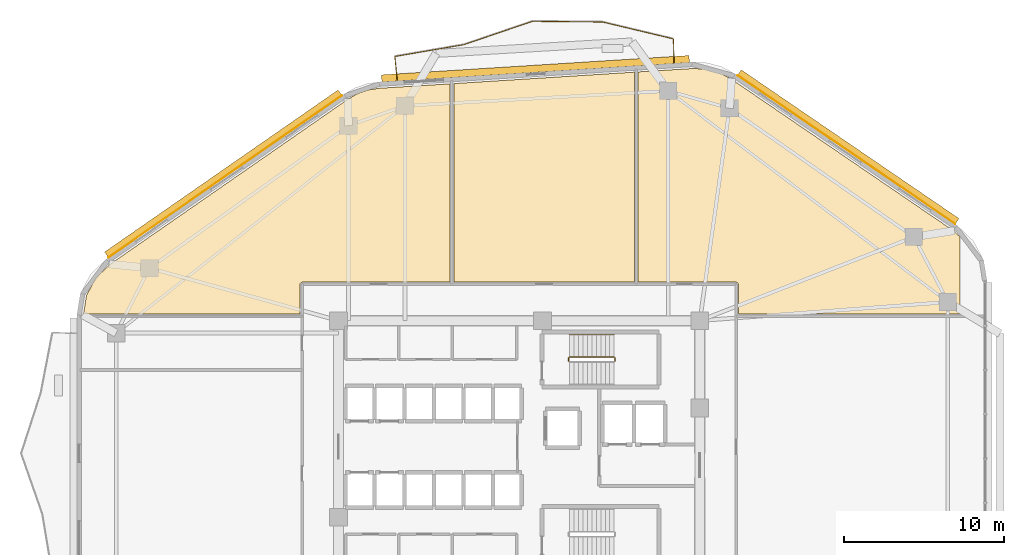
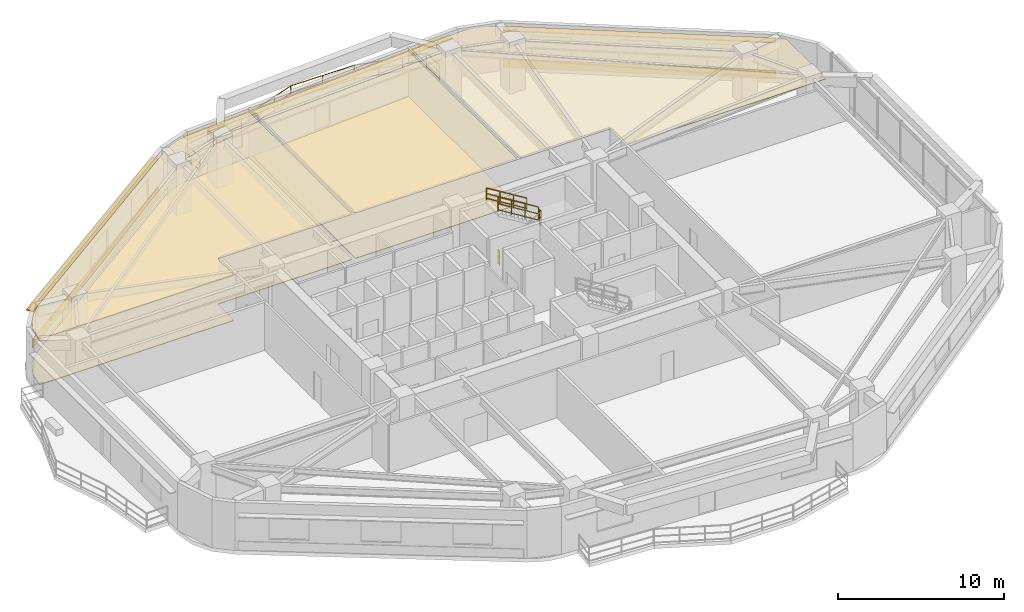
# One storey, part 14 of 14: 10 railings, 7 coverings, 3 shading devices.
"""IFC4 building model written with IfcOpenShell, lengths in metres."""

from ifc_helpers import new_model, si_unit, direction, frame, origin, origin_2d, place, context, subcontext, project, spatial, polyline, rectangle, outline, extrude, material, layer, layer_set, type_object, element, save


model = new_model("IFC4")

# Units and contexts
model_context = context("Model", 3, precision=1e-05, world=origin(), true_north=direction((0.0, 1.0)))
body_context = subcontext(model_context, "Body", "Model", "MODEL_VIEW")
ifc_project = project(units=[si_unit("LENGTHUNIT", "METRE"), si_unit("AREAUNIT", "SQUARE_METRE"), si_unit("VOLUMEUNIT", "CUBIC_METRE"), si_unit("PLANEANGLEUNIT", "RADIAN"), si_unit("MASSUNIT", "GRAM", prefix="KILO")], contexts=[model_context])

# Site, building, storey
site_placement = place(None, origin())
site = spatial("IfcSite", under=ifc_project, at=site_placement, CompositionType="ELEMENT")
building_placement = place(site_placement, origin())
building = spatial("IfcBuilding", under=site, at=building_placement, Name="Zulverin Broadcast Headquarters", CompositionType="ELEMENT")
storey_placement = place(building_placement, frame((0.0, 0.0, 85.800048828125)))
storey = spatial("IfcBuildingStorey", under=building, at=storey_placement, Name="L21", CompositionType="ELEMENT", Elevation=85.800048828125)

# Coverings
ifc_material_1 = material(Name="Perforated pale-metal acoustic baffle ceiling", Category="aluminium")
ifc_layer_1 = layer(ifc_material_1, 0.0400390625, Name="Perforated pale-metal acoustic baffle ceiling", Category="aluminium")
ifc_layer_set_1 = layer_set([ifc_layer_1], Name="Perforated pale-metal acoustic baffle ceiling")
covering_type_1 = type_object("IfcCoveringType", Name="COV-CEIL-ACOU", PredefinedType="CEILING", material=ifc_layer_set_1)
covering_1_placement = place(storey_placement, frame((0.0, 0.0, 3.344970703125)))
element("IfcCovering", 1, at=covering_1_placement, inside=storey, type_object=covering_type_1, Name="L21 Acoustic Baffle Ceiling 01", PredefinedType="CEILING", context=body_context, shape_type="SweptSolid", body=[
    extrude(outline(polyline([(11.4599609375, 36.583984375), (10.56005859375, 35.719970703125), (10.0, 34.639892578125), (9.81591796875, 33.5), (23.33203125, 33.5), (23.33203125, 35.35205078125), (23.33203125, 35.364013671875), (23.3359375, 35.3759765625), (23.3359375, 35.387939453125), (23.340087890625, 35.39599609375), (23.347900390625, 35.407958984375), (23.35205078125, 35.419921875), (23.360107421875, 35.427978515625), (23.367919921875, 35.43603515625), (23.3759765625, 35.444091796875), (23.384033203125, 35.451904296875), (23.39599609375, 35.4560546875), (23.407958984375, 35.464111328125), (23.416015625, 35.468017578125), (23.427978515625, 35.468017578125), (23.43994140625, 35.471923828125), (23.451904296875, 35.471923828125), (32.679931640625, 35.471923828125), (32.679931640625, 47.85205078125), (28.27587890625, 47.575927734375), (27.575927734375, 47.468017578125), (26.927978515625, 47.243896484375), (26.31591796875, 46.89599609375), (11.4599609375, 36.583984375)])), origin(), (0.0, 0.0, 1.0), 0.0400390625),
])
covering_2_placement = place(storey_placement, frame((0.0, 0.0, 3.344970703125)))
element("IfcCovering", 2, at=covering_2_placement, inside=storey, type_object=covering_type_1, Name="L21 Acoustic Baffle Ceiling 02", PredefinedType="CEILING", context=body_context, shape_type="SweptSolid", body=[
    extrude(outline(polyline([(44.179931640625, 35.471923828125), (44.179931640625, 48.580078125), (32.919921875, 47.867919921875), (32.919921875, 35.471923828125), (44.179931640625, 35.471923828125)])), origin(), (0.0, 0.0, 1.0), 0.0400390625),
])
covering_3_placement = place(storey_placement, frame((0.0, 0.0, 3.344970703125)))
element("IfcCovering", 3, at=covering_3_placement, inside=storey, type_object=covering_type_1, Name="L21 Acoustic Baffle Ceiling 03", PredefinedType="CEILING", context=body_context, shape_type="SweptSolid", body=[
    extrude(outline(polyline([(64.5, 38.303955078125), (64.115966796875, 38.672119140625), (50.248046875, 48.139892578125), (49.491943359375, 48.548095703125), (48.68408203125, 48.76806640625), (47.823974609375, 48.80810546875), (44.419921875, 48.595947265625), (44.419921875, 35.471923828125), (50.552001953125, 35.471923828125), (50.56396484375, 35.471923828125), (50.575927734375, 35.468017578125), (50.587890625, 35.468017578125), (50.595947265625, 35.464111328125), (50.60791015625, 35.4560546875), (50.6201171875, 35.451904296875), (50.6279296875, 35.444091796875), (50.635986328125, 35.43603515625), (50.64404296875, 35.427978515625), (50.652099609375, 35.419921875), (50.656005859375, 35.407958984375), (50.6640625, 35.39599609375), (50.66796875, 35.387939453125), (50.66796875, 35.3759765625), (50.672119140625, 35.364013671875), (50.672119140625, 35.35205078125), (50.672119140625, 33.5), (64.5, 33.5), (64.5, 38.303955078125)])), origin(), (0.0, 0.0, 1.0), 0.0400390625),
])
ifc_material_2 = material(Name="Brushed pale-aluminium rainscreen cladding", Category="aluminium")
ifc_layer_2 = layer(ifc_material_2, 0.0400390625, Name="Brushed pale-aluminium rainscreen cladding", Category="aluminium")
ifc_layer_set_2 = layer_set([ifc_layer_2], Name="Brushed pale-aluminium rainscreen cladding")
covering_type_2 = type_object("IfcCoveringType", Name="COV-CLAD-PALE", PredefinedType="CLADDING", material=ifc_layer_set_2)
covering_4_placement = place(storey_placement, frame((57.418212890625, 43.742431640625, 0.054931640625), z_axis=(0.0, 0.0, 1.0), x_axis=(-0.825756855157, 0.564026254851, 0.0)))
element("IfcCovering", 4, at=covering_4_placement, inside=storey, type_object=covering_type_2, Name="L21 Brushed Pale-Aluminium Spandrel Cladding 4", PredefinedType="CLADDING", context=body_context, shape_type="SweptSolid", body=[
    extrude(rectangle(XDim=16.4482421875, YDim=0.0400390625, at=origin_2d()), origin(), (0.0, 0.0, 1.0), 0.64990234375),
])
covering_5_placement = place(storey_placement, frame((18.648193359375, 42.072021484375, 0.054931640625), z_axis=(0.0, 0.0, 1.0), x_axis=(-0.821556397865, -0.57012725345, 0.0)))
element("IfcCovering", 5, at=covering_5_placement, inside=storey, type_object=covering_type_2, Name="L21 Brushed Pale-Aluminium Spandrel Cladding 6", PredefinedType="CLADDING", context=body_context, shape_type="SweptSolid", body=[
    extrude(rectangle(XDim=17.732421875, YDim=0.0400390625, at=origin_2d()), origin(), (0.0, 0.0, 1.0), 0.64990234375),
])
ifc_material_3 = material(Name="Anti-static broadcast raised access flooring", Category="stone")
ifc_layer_3 = layer(ifc_material_3, 0.050048828125, Name="Anti-static broadcast raised access flooring", Category="stone")
ifc_layer_set_3 = layer_set([ifc_layer_3], Name="Anti-static broadcast raised access flooring")
covering_type_3 = type_object("IfcCoveringType", Name="COV-FLR-RAISED", PredefinedType="FLOORING", material=ifc_layer_set_3)
covering_6_placement = place(storey_placement, origin())
element("IfcCovering", 6, at=covering_6_placement, inside=storey, type_object=covering_type_3, Name="L21 Broadcast Raised Access Flooring 01", PredefinedType="FLOORING", context=body_context, shape_type="SweptSolid", body=[
    extrude(outline(polyline([(11.4599609375, 36.583984375), (10.56005859375, 35.719970703125), (10.0, 34.639892578125), (9.81591796875, 33.5), (23.33203125, 33.5), (23.33203125, 35.35205078125), (23.33203125, 35.364013671875), (23.3359375, 35.3759765625), (23.3359375, 35.387939453125), (23.340087890625, 35.39599609375), (23.347900390625, 35.407958984375), (23.35205078125, 35.419921875), (23.360107421875, 35.427978515625), (23.367919921875, 35.43603515625), (23.3759765625, 35.444091796875), (23.384033203125, 35.451904296875), (23.39599609375, 35.4560546875), (23.407958984375, 35.464111328125), (23.416015625, 35.468017578125), (23.427978515625, 35.468017578125), (23.43994140625, 35.471923828125), (23.451904296875, 35.471923828125), (32.679931640625, 35.471923828125), (32.679931640625, 47.85205078125), (28.27587890625, 47.575927734375), (27.575927734375, 47.468017578125), (26.927978515625, 47.243896484375), (26.31591796875, 46.89599609375), (11.4599609375, 36.583984375)])), origin(), (0.0, 0.0, 1.0), 0.050048828125),
])
covering_7_placement = place(storey_placement, origin())
element("IfcCovering", 7, at=covering_7_placement, inside=storey, type_object=covering_type_3, Name="L21 Broadcast Raised Access Flooring 02", PredefinedType="FLOORING", context=body_context, shape_type="SweptSolid", body=[
    extrude(outline(polyline([(44.179931640625, 35.471923828125), (44.179931640625, 48.580078125), (32.919921875, 47.867919921875), (32.919921875, 35.471923828125), (44.179931640625, 35.471923828125)])), origin(), (0.0, 0.0, 1.0), 0.050048828125),
])

# Railings
ifc_material_4 = material(Name="Brushed stainless steel & laminated glass balustrade", Category="steel")
railing_type_1 = type_object("IfcRailingType", Name="RL-GUARD-1150", PredefinedType="GUARDRAIL", material=ifc_material_4)
railing_1_placement = place(storey_placement, frame((46.662841796875, 49.176025390625, 0.0)))
element("IfcRailing", 8, at=railing_1_placement, inside=storey, type_object=railing_type_1, Name="L21 Vertical-Forest Balcony Guardrail BAL_N Segment 01", PredefinedType="GUARDRAIL", context=body_context, shape_type="SweptSolid", body=[
    extrude(rectangle(XDim=0.048095703125, YDim=0.048095703125, at=origin_2d()), frame((0.0, 0.0, 1.1259765625), z_axis=(-0.022479328211, 0.999747307975, 0.0), x_axis=(-0.999747307975, -0.022479328211, 0.0)), (0.0, 0.0, 1.0), 1.46630859375),
    extrude(rectangle(XDim=0.0419921875, YDim=0.0419921875, at=origin_2d()), frame((0.0, 0.0, 0.597900390625), z_axis=(-0.022479328211, 0.999747307975, 0.0), x_axis=(-0.999747307975, -0.022479328211, 0.0)), (0.0, 0.0, 1.0), 1.46630859375),
    extrude(rectangle(XDim=0.0419921875, YDim=0.0419921875, at=origin_2d()), frame((0.0, 0.0, 0.1201171875), z_axis=(-0.022479328211, 0.999747307975, 0.0), x_axis=(-0.999747307975, -0.022479328211, 0.0)), (0.0, 0.0, 1.0), 1.46630859375),
    extrude(rectangle(XDim=0.0419921875, YDim=0.0419921875, at=origin_2d()), origin(), (0.0, 0.0, 1.0), 1.101806640625),
    extrude(rectangle(XDim=0.0419921875, YDim=0.0419921875, at=origin_2d()), frame((-0.032958984375, 1.4658203125, 0.0)), (0.0, 0.0, 1.0), 1.101806640625),
])
railing_2_placement = place(storey_placement, frame((46.614990234375, 50.660400390625, 0.0)))
element("IfcRailing", 9, at=railing_2_placement, inside=storey, type_object=railing_type_1, Name="L21 Vertical-Forest Balcony Guardrail BAL_N Segment 02", PredefinedType="GUARDRAIL", context=body_context, shape_type="SweptSolid", body=[
    extrude(rectangle(XDim=0.048095703125, YDim=0.048095703125, at=origin_2d()), frame((0.0, 0.0, 1.1259765625), z_axis=(-0.972763955958, 0.231797942158, 0.0), x_axis=(-0.231797942158, -0.972763955958, 0.0)), (0.0, 0.0, 1.0), 4.52685546875),
    extrude(rectangle(XDim=0.0419921875, YDim=0.0419921875, at=origin_2d()), frame((0.0, 0.0, 0.597900390625), z_axis=(-0.972763955958, 0.231797942158, 0.0), x_axis=(-0.231797942158, -0.972763955958, 0.0)), (0.0, 0.0, 1.0), 4.52685546875),
    extrude(rectangle(XDim=0.0419921875, YDim=0.0419921875, at=origin_2d()), frame((0.0, 0.0, 0.1201171875), z_axis=(-0.972763955958, 0.231797942158, 0.0), x_axis=(-0.231797942158, -0.972763955958, 0.0)), (0.0, 0.0, 1.0), 4.52685546875),
    extrude(rectangle(XDim=0.0419921875, YDim=0.0419921875, at=origin_2d()), origin(), (0.0, 0.0, 1.0), 1.101806640625),
    extrude(rectangle(XDim=0.0419921875, YDim=0.0419921875, at=origin_2d()), frame((-1.4677734375, 0.349853515625, 0.0)), (0.0, 0.0, 1.0), 1.101806640625),
    extrude(rectangle(XDim=0.0419921875, YDim=0.0419921875, at=origin_2d()), frame((-2.935791015625, 0.699462890625, 0.0)), (0.0, 0.0, 1.0), 1.101806640625),
    extrude(rectangle(XDim=0.0419921875, YDim=0.0419921875, at=origin_2d()), frame((-4.403564453125, 1.04931640625, 0.0)), (0.0, 0.0, 1.0), 1.101806640625),
])
railing_3_placement = place(storey_placement, frame((42.181884765625, 51.713134765625, 0.0)))
element("IfcRailing", 10, at=railing_3_placement, inside=storey, type_object=railing_type_1, Name="L21 Vertical-Forest Balcony Guardrail BAL_N Segment 03", PredefinedType="GUARDRAIL", context=body_context, shape_type="SweptSolid", body=[
    extrude(rectangle(XDim=0.048095703125, YDim=0.048095703125, at=origin_2d()), frame((0.0, 0.0, 1.1259765625), z_axis=(-0.99995316477, 0.009678236697, 0.0), x_axis=(-0.009678236697, -0.99995316477, 0.0)), (0.0, 0.0, 1.0), 4.3388671875),
    extrude(rectangle(XDim=0.0419921875, YDim=0.0419921875, at=origin_2d()), frame((0.0, 0.0, 0.597900390625), z_axis=(-0.99995316477, 0.009678236697, 0.0), x_axis=(-0.009678236697, -0.99995316477, 0.0)), (0.0, 0.0, 1.0), 4.3388671875),
    extrude(rectangle(XDim=0.0419921875, YDim=0.0419921875, at=origin_2d()), frame((0.0, 0.0, 0.1201171875), z_axis=(-0.99995316477, 0.009678236697, 0.0), x_axis=(-0.009678236697, -0.99995316477, 0.0)), (0.0, 0.0, 1.0), 4.3388671875),
    extrude(rectangle(XDim=0.0419921875, YDim=0.0419921875, at=origin_2d()), origin(), (0.0, 0.0, 1.0), 1.101806640625),
    extrude(rectangle(XDim=0.0419921875, YDim=0.0419921875, at=origin_2d()), frame((-2.16943359375, 0.02099609375, 0.0)), (0.0, 0.0, 1.0), 1.101806640625),
    extrude(rectangle(XDim=0.0419921875, YDim=0.0419921875, at=origin_2d()), frame((-4.338623046875, 0.0419921875, 0.0)), (0.0, 0.0, 1.0), 1.101806640625),
])
railing_4_placement = place(storey_placement, frame((37.81396484375, 51.75048828125, 0.0)))
element("IfcRailing", 11, at=railing_4_placement, inside=storey, type_object=railing_type_1, Name="L21 Vertical-Forest Balcony Guardrail BAL_N Segment 04", PredefinedType="GUARDRAIL", context=body_context, shape_type="SweptSolid", body=[
    extrude(rectangle(XDim=0.048095703125, YDim=0.048095703125, at=origin_2d()), frame((0.0, 0.0, 1.1259765625), z_axis=(-0.946638952718, -0.322295971425, 0.0), x_axis=(0.322295971425, -0.946638952718, 0.0)), (0.0, 0.0, 1.0), 4.485107421875),
    extrude(rectangle(XDim=0.0419921875, YDim=0.0419921875, at=origin_2d()), frame((0.0, 0.0, 0.597900390625), z_axis=(-0.946638952718, -0.322295971425, 0.0), x_axis=(0.322295971425, -0.946638952718, 0.0)), (0.0, 0.0, 1.0), 4.485107421875),
    extrude(rectangle(XDim=0.0419921875, YDim=0.0419921875, at=origin_2d()), frame((0.0, 0.0, 0.1201171875), z_axis=(-0.946638952718, -0.322295971425, 0.0), x_axis=(0.322295971425, -0.946638952718, 0.0)), (0.0, 0.0, 1.0), 4.485107421875),
    extrude(rectangle(XDim=0.0419921875, YDim=0.0419921875, at=origin_2d()), origin(), (0.0, 0.0, 1.0), 1.101806640625),
    extrude(rectangle(XDim=0.0419921875, YDim=0.0419921875, at=origin_2d()), frame((-1.415283203125, -0.48193359375, 0.0)), (0.0, 0.0, 1.0), 1.101806640625),
    extrude(rectangle(XDim=0.0419921875, YDim=0.0419921875, at=origin_2d()), frame((-2.83056640625, -0.963623046875, 0.0)), (0.0, 0.0, 1.0), 1.101806640625),
    extrude(rectangle(XDim=0.0419921875, YDim=0.0419921875, at=origin_2d()), frame((-4.245849609375, -1.445556640625, 0.0)), (0.0, 0.0, 1.0), 1.101806640625),
])
railing_5_placement = place(storey_placement, frame((33.5390625, 50.297607421875, 0.0)))
element("IfcRailing", 12, at=railing_5_placement, inside=storey, type_object=railing_type_1, Name="L21 Vertical-Forest Balcony Guardrail BAL_N Segment 05", PredefinedType="GUARDRAIL", context=body_context, shape_type="SweptSolid", body=[
    extrude(rectangle(XDim=0.048095703125, YDim=0.048095703125, at=origin_2d()), frame((0.0, 0.0, 1.1259765625), z_axis=(-0.985633195808, -0.168899980228, 0.0), x_axis=(0.168899980228, -0.985633195808, 0.0)), (0.0, 0.0, 1.0), 4.352294921875),
    extrude(rectangle(XDim=0.0419921875, YDim=0.0419921875, at=origin_2d()), frame((0.0, 0.0, 0.597900390625), z_axis=(-0.985633195808, -0.168899980228, 0.0), x_axis=(0.168899980228, -0.985633195808, 0.0)), (0.0, 0.0, 1.0), 4.352294921875),
    extrude(rectangle(XDim=0.0419921875, YDim=0.0419921875, at=origin_2d()), frame((0.0, 0.0, 0.1201171875), z_axis=(-0.985633195808, -0.168899980228, 0.0), x_axis=(0.168899980228, -0.985633195808, 0.0)), (0.0, 0.0, 1.0), 4.352294921875),
    extrude(rectangle(XDim=0.0419921875, YDim=0.0419921875, at=origin_2d()), origin(), (0.0, 0.0, 1.0), 1.101806640625),
    extrude(rectangle(XDim=0.0419921875, YDim=0.0419921875, at=origin_2d()), frame((-2.14501953125, -0.36767578125, 0.0)), (0.0, 0.0, 1.0), 1.101806640625),
    extrude(rectangle(XDim=0.0419921875, YDim=0.0419921875, at=origin_2d()), frame((-4.289794921875, -0.735107421875, 0.0)), (0.0, 0.0, 1.0), 1.101806640625),
])
railing_6_placement = place(storey_placement, frame((29.236083984375, 49.545166015625, 0.0)))
element("IfcRailing", 13, at=railing_6_placement, inside=storey, type_object=railing_type_1, Name="L21 Vertical-Forest Balcony Guardrail BAL_N Segment 06", PredefinedType="GUARDRAIL", context=body_context, shape_type="SweptSolid", body=[
    extrude(rectangle(XDim=0.048095703125, YDim=0.048095703125, at=origin_2d()), frame((0.0, 0.0, 1.1259765625), z_axis=(0.103393334431, -0.994640547331, 0.0), x_axis=(0.994640547331, 0.103393334431, 0.0)), (0.0, 0.0, 1.0), 1.46630859375),
    extrude(rectangle(XDim=0.0419921875, YDim=0.0419921875, at=origin_2d()), frame((0.0, 0.0, 0.597900390625), z_axis=(0.103393334431, -0.994640547331, 0.0), x_axis=(0.994640547331, 0.103393334431, 0.0)), (0.0, 0.0, 1.0), 1.46630859375),
    extrude(rectangle(XDim=0.0419921875, YDim=0.0419921875, at=origin_2d()), frame((0.0, 0.0, 0.1201171875), z_axis=(0.103393334431, -0.994640547331, 0.0), x_axis=(0.994640547331, 0.103393334431, 0.0)), (0.0, 0.0, 1.0), 1.46630859375),
    extrude(rectangle(XDim=0.0419921875, YDim=0.0419921875, at=origin_2d()), origin(), (0.0, 0.0, 1.0), 1.101806640625),
    extrude(rectangle(XDim=0.0419921875, YDim=0.0419921875, at=origin_2d()), frame((0.151611328125, -1.45849609375, 0.0)), (0.0, 0.0, 1.0), 1.101806640625),
])
ifc_material_5 = material(Name="Painted galvanized steel tubular guardrail S355JR", Category="steel")
railing_type_2 = type_object("IfcRailingType", Name="RL-ST-GUARD", PredefinedType="GUARDRAIL", material=ifc_material_5)
railing_7_placement = place(storey_placement, frame((42.97998046875, 30.550048828125, 1.89990234375)))
element("IfcRailing", 14, at=railing_7_placement, inside=storey, type_object=railing_type_2, Name="L21 ST-1 stair guard 2", PredefinedType="GUARDRAIL", context=body_context, shape_type="SweptSolid", body=[
    extrude(rectangle(XDim=0.048095703125, YDim=0.048095703125, at=origin_2d()), frame((0.0, 0.0, 1.076171875), z_axis=(0.0, 1.0, 0.0), x_axis=(-1.0, 0.0, 0.0)), (0.0, 0.0, 1.0), 0.199951171875),
    extrude(rectangle(XDim=0.0419921875, YDim=0.0419921875, at=origin_2d()), frame((0.0, 0.0, 0.572021484375), z_axis=(0.0, 1.0, 0.0), x_axis=(-1.0, 0.0, 0.0)), (0.0, 0.0, 1.0), 0.199951171875),
    extrude(rectangle(XDim=0.0419921875, YDim=0.0419921875, at=origin_2d()), frame((0.0, 0.0, 0.1201171875), z_axis=(0.0, 1.0, 0.0), x_axis=(-1.0, 0.0, 0.0)), (0.0, 0.0, 1.0), 0.199951171875),
    extrude(rectangle(XDim=0.0419921875, YDim=0.0419921875, at=origin_2d()), origin(), (0.0, 0.0, 1.0), 1.052001953125),
    extrude(rectangle(XDim=0.0419921875, YDim=0.0419921875, at=origin_2d()), frame((0.0, 0.199951171875, 0.0)), (0.0, 0.0, 1.0), 1.052001953125),
])
railing_8_placement = place(storey_placement, frame((42.929931640625, 30.800048828125, 2.07275390625)))
element("IfcRailing", 15, at=railing_8_placement, inside=storey, type_object=railing_type_2, Name="L21 ST-1 stair guard 3", PredefinedType="GUARDRAIL", context=body_context, shape_type="SweptSolid", body=[
    extrude(rectangle(XDim=0.048095703125, YDim=0.048095703125, at=origin_2d()), frame((0.0, 0.0, 1.076171875), z_axis=(-0.851089632645, 0.0, 0.525020415988), x_axis=(0.0, -1.0, 0.0)), (0.0, 0.0, 1.0), 3.2900390625),
    extrude(rectangle(XDim=0.0419921875, YDim=0.0419921875, at=origin_2d()), frame((0.0, 0.0, 0.572021484375), z_axis=(-0.851089632645, 0.0, 0.525020415988), x_axis=(0.0, -1.0, 0.0)), (0.0, 0.0, 1.0), 3.2900390625),
    extrude(rectangle(XDim=0.0419921875, YDim=0.0419921875, at=origin_2d()), frame((0.0, 0.0, 0.1201171875), z_axis=(-0.851089632645, 0.0, 0.525020415988), x_axis=(0.0, -1.0, 0.0)), (0.0, 0.0, 1.0), 3.2900390625),
    extrude(rectangle(XDim=0.0419921875, YDim=0.0419921875, at=origin_2d()), origin(), (0.0, 0.0, 1.0), 1.052001953125),
    extrude(rectangle(XDim=0.0419921875, YDim=0.0419921875, at=origin_2d()), frame((-0.933349609375, 0.0, 0.57568359375)), (0.0, 0.0, 1.0), 1.052001953125),
    extrude(rectangle(XDim=0.0419921875, YDim=0.0419921875, at=origin_2d()), frame((-1.86669921875, 0.0, 1.151611328125)), (0.0, 0.0, 1.0), 1.052001953125),
    extrude(rectangle(XDim=0.0419921875, YDim=0.0419921875, at=origin_2d()), frame((-2.800048828125, 0.0, 1.727294921875)), (0.0, 0.0, 1.0), 1.052001953125),
])
railing_9_placement = place(storey_placement, frame((40.080078125, 30.550048828125, 0.0)))
element("IfcRailing", 16, at=railing_9_placement, inside=storey, type_object=railing_type_2, Name="L21 ST-1 stair guard 4", PredefinedType="GUARDRAIL", context=body_context, shape_type="SweptSolid", body=[
    extrude(rectangle(XDim=0.048095703125, YDim=0.048095703125, at=origin_2d()), frame((0.0, 0.0, 1.076171875), z_axis=(0.0, 1.0, 0.0), x_axis=(-1.0, 0.0, 0.0)), (0.0, 0.0, 1.0), 0.199951171875),
    extrude(rectangle(XDim=0.0419921875, YDim=0.0419921875, at=origin_2d()), frame((0.0, 0.0, 0.572021484375), z_axis=(0.0, 1.0, 0.0), x_axis=(-1.0, 0.0, 0.0)), (0.0, 0.0, 1.0), 0.199951171875),
    extrude(rectangle(XDim=0.0419921875, YDim=0.0419921875, at=origin_2d()), frame((0.0, 0.0, 0.1201171875), z_axis=(0.0, 1.0, 0.0), x_axis=(-1.0, 0.0, 0.0)), (0.0, 0.0, 1.0), 0.199951171875),
    extrude(rectangle(XDim=0.0419921875, YDim=0.0419921875, at=origin_2d()), origin(), (0.0, 0.0, 1.0), 1.052001953125),
    extrude(rectangle(XDim=0.0419921875, YDim=0.0419921875, at=origin_2d()), frame((0.0, 0.199951171875, 0.0)), (0.0, 0.0, 1.0), 1.052001953125),
])
ifc_material_6 = material(Name="Brushed stainless steel 48 mm handrail", Category="steel")
railing_type_3 = type_object("IfcRailingType", Name="RL-ST-HAND", PredefinedType="HANDRAIL", material=ifc_material_6)
railing_10_placement = place(storey_placement, frame((42.929931640625, 32.199951171875, 2.07275390625)))
element("IfcRailing", 17, at=railing_10_placement, inside=storey, type_object=railing_type_3, Name="L21 ST-1 stair handrail 2", PredefinedType="HANDRAIL", context=body_context, shape_type="SweptSolid", body=[
    extrude(rectangle(XDim=0.048095703125, YDim=0.048095703125, at=origin_2d()), frame((0.0, 0.0, 0.8759765625), z_axis=(-0.851089632645, 0.0, 0.525020415988), x_axis=(0.0, -1.0, 0.0)), (0.0, 0.0, 1.0), 3.2900390625),
    extrude(rectangle(XDim=0.0419921875, YDim=0.0419921875, at=origin_2d()), frame((0.0, 0.0, 0.468017578125), z_axis=(-0.851089632645, 0.0, 0.525020415988), x_axis=(0.0, -1.0, 0.0)), (0.0, 0.0, 1.0), 3.2900390625),
    extrude(rectangle(XDim=0.0419921875, YDim=0.0419921875, at=origin_2d()), frame((0.0, 0.0, 0.1201171875), z_axis=(-0.851089632645, 0.0, 0.525020415988), x_axis=(0.0, -1.0, 0.0)), (0.0, 0.0, 1.0), 3.2900390625),
    extrude(rectangle(XDim=0.0419921875, YDim=0.0419921875, at=origin_2d()), origin(), (0.0, 0.0, 1.0), 0.851806640625),
    extrude(rectangle(XDim=0.0419921875, YDim=0.0419921875, at=origin_2d()), frame((-0.933349609375, 0.0, 0.57568359375)), (0.0, 0.0, 1.0), 0.851806640625),
    extrude(rectangle(XDim=0.0419921875, YDim=0.0419921875, at=origin_2d()), frame((-1.86669921875, 0.0, 1.151611328125)), (0.0, 0.0, 1.0), 0.851806640625),
    extrude(rectangle(XDim=0.0419921875, YDim=0.0419921875, at=origin_2d()), frame((-2.800048828125, 0.0, 1.727294921875)), (0.0, 0.0, 1.0), 0.851806640625),
])

# Shading devices
ifc_material_7 = material(Name="Anodized pale-metal aluminium sunshade", Category="aluminium")
ifc_layer_4 = layer(ifc_material_7, 0.06005859375, Name="Anodized pale-metal aluminium sunshade", Category="aluminium")
ifc_layer_set_4 = layer_set([ifc_layer_4], Name="Anodized pale-metal aluminium sunshade")
shading_device_type = type_object("IfcShadingDeviceType", Name="SS-01_PALE_METAL_ALUMINIUM_SUNSHADE", PredefinedType="USERDEFINED", material=ifc_layer_set_4)
shading_device_1_placement = place(storey_placement, frame((57.525390625, 43.8994140625, 2.7099609375), z_axis=(0.0, 0.0, 1.0), x_axis=(-0.825756855157, 0.564026254851, 0.0)))
element("IfcShadingDevice", 18, at=shading_device_1_placement, inside=storey, type_object=shading_device_type, Name="L21 Horizontal Pale-Metal Sunshade Band 4", ObjectType="SUNSHADE", PredefinedType="USERDEFINED", context=body_context, shape_type="SweptSolid", body=[
    extrude(rectangle(XDim=16.4482421875, YDim=0.449951171875, at=origin_2d()), origin(), (0.0, 0.0, 1.0), 0.06005859375),
])
shading_device_2_placement = place(storey_placement, frame((38.01513671875, 48.791015625, 2.7099609375), z_axis=(0.0, 0.0, 1.0), x_axis=(-0.998017621976, -0.062935095345, 0.0)))
element("IfcShadingDevice", 19, at=shading_device_2_placement, inside=storey, type_object=shading_device_type, Name="L21 Horizontal Pale-Metal Sunshade Band 5", ObjectType="SUNSHADE", PredefinedType="USERDEFINED", context=body_context, shape_type="SweptSolid", body=[
    extrude(rectangle(XDim=19.2294921875, YDim=0.449951171875, at=origin_2d()), origin(), (0.0, 0.0, 1.0), 0.06005859375),
])
shading_device_3_placement = place(storey_placement, frame((18.539794921875, 42.22802734375, 2.7099609375), z_axis=(0.0, 0.0, 1.0), x_axis=(-0.821556397865, -0.57012725345, 0.0)))
element("IfcShadingDevice", 20, at=shading_device_3_placement, inside=storey, type_object=shading_device_type, Name="L21 Horizontal Pale-Metal Sunshade Band 6", ObjectType="SUNSHADE", PredefinedType="USERDEFINED", context=body_context, shape_type="SweptSolid", body=[
    extrude(rectangle(XDim=17.732421875, YDim=0.449951171875, at=origin_2d()), origin(), (0.0, 0.0, 1.0), 0.06005859375),
])

save(model, "model.ifc")
